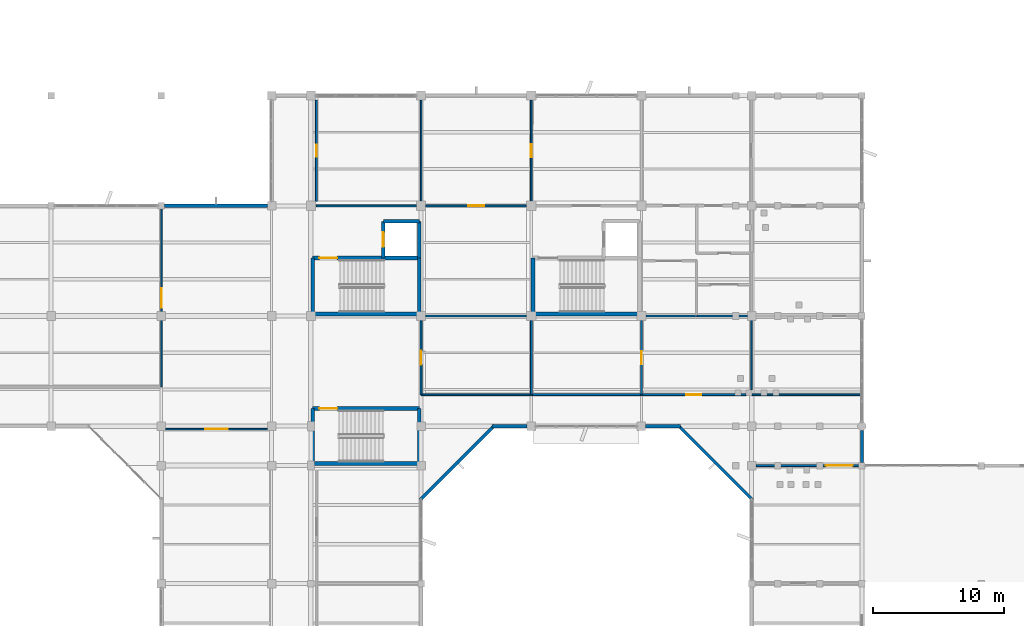
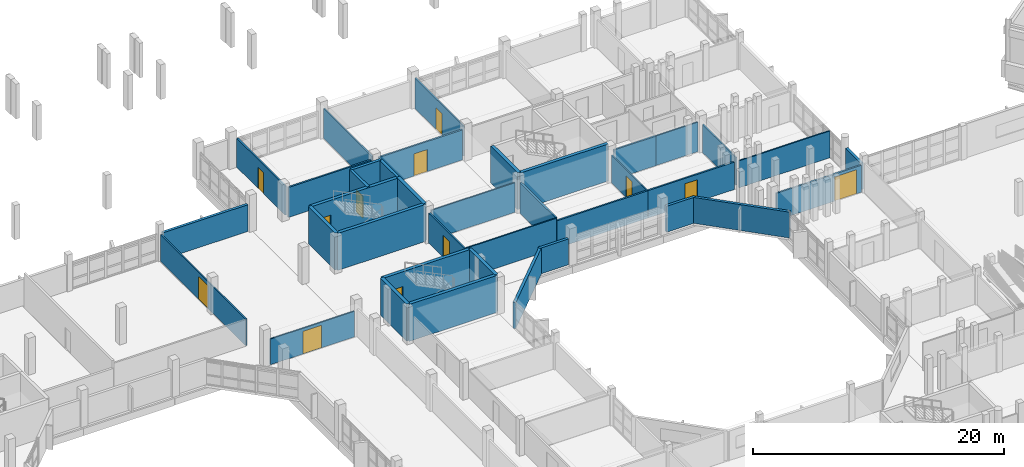
# One storey, part 70 of 104: 38 walls, 12 doors, 12 openings.
"""IFC4 building model written with IfcOpenShell, lengths in metres."""

from ifc_helpers import new_model, si_unit, direction, frame, frame_2d, origin, place, context, subcontext, project, spatial, rectangle, extrude, material, layer, layer_set, type_object, element, fill, save


model = new_model("IFC4")

# Units and contexts
model_context = context("Model", 3, precision=1e-05, world=origin(), true_north=direction((0.0, 1.0)))
body_context = subcontext(model_context, "Body", "Model", "MODEL_VIEW")
ifc_project = project(units=[si_unit("LENGTHUNIT", "METRE"), si_unit("AREAUNIT", "SQUARE_METRE"), si_unit("VOLUMEUNIT", "CUBIC_METRE"), si_unit("PLANEANGLEUNIT", "RADIAN"), si_unit("MASSUNIT", "GRAM", prefix="KILO")], contexts=[model_context])

# Site, building, storey
site_placement = place(None, origin())
site = spatial("IfcSite", under=ifc_project, at=site_placement, CompositionType="ELEMENT")
building_placement = place(site_placement, origin())
building = spatial("IfcBuilding", under=site, at=building_placement, Name="Vanh Quang Courtyard School", CompositionType="ELEMENT")
storey_placement = place(building_placement, frame((0.0, 0.0, 4.199951171875)))
storey = spatial("IfcBuildingStorey", under=building, at=storey_placement, Name="L01", CompositionType="ELEMENT", Elevation=4.199951171875)

# Walls
ifc_material_1 = material(Name="Concrete C35/45", Category="concrete")
ifc_layer_1 = layer(ifc_material_1, 0.300048828125)
ifc_layer_set_1 = layer_set([ifc_layer_1], Name="Concrete C35/45")
wall_type_1 = type_object("IfcWallType", Name="W-CORE-300", PredefinedType="SHEAR", material=ifc_layer_set_1)
wall_1_placement = place(storey_placement, frame((77.5400390625, 79.93994140625, 0.0), z_axis=(0.0, 0.0, 1.0), x_axis=(1.0, 0.0, 0.0)))
element("IfcWall", 1, at=wall_1_placement, inside=storey, type_object=wall_type_1, Name="Wall W-CORE1 (L01)", PredefinedType="SHEAR", context=body_context, shape_type="SweptSolid", body=[
    extrude(rectangle(XDim=8.119873046875, YDim=0.300048828125, at=frame_2d((4.06005859375, 0.0))), origin(), (0.0, 0.0, 1.0), 3.60009765625),
])
wall_2_placement = place(storey_placement, frame((85.659912109375, 79.93994140625, 0.0), z_axis=(0.0, 0.0, 1.0), x_axis=(0.0, 1.0, 0.0)))
element("IfcWall", 2, at=wall_2_placement, inside=storey, type_object=wall_type_1, Name="Wall W-CORE1 (L01)", PredefinedType="SHEAR", context=body_context, shape_type="SweptSolid", body=[
    extrude(rectangle(XDim=4.280029296875, YDim=0.300048828125, at=frame_2d((2.14013671875, 0.0))), origin(), (0.0, 0.0, 1.0), 3.60009765625),
])

# Wall, opening, door
wall_3_placement = place(storey_placement, frame((85.659912109375, 84.219970703125, 0.0), z_axis=(0.0, 0.0, 1.0), x_axis=(-1.0, 0.0, 0.0)))
wall_3 = element("IfcWall", 3, at=wall_3_placement, inside=storey, type_object=wall_type_1, Name="Wall W-CORE1 (L01)", PredefinedType="SHEAR", context=body_context, shape_type="SweptSolid", body=[
    extrude(rectangle(XDim=8.119873046875, YDim=0.300048828125, at=frame_2d((4.06005859375, 0.0))), origin(), (0.0, 0.0, 1.0), 3.60009765625),
])
opening_1_placement = place(wall_3_placement, frame((6.27001953125, 0.0, 0.0)))
opening_1 = element("IfcOpeningElement", 4, at=opening_1_placement, cuts=wall_3, Name="Opening L01-DS1", PredefinedType="OPENING", context=body_context, shape_type="SweptSolid", body=[
    extrude(rectangle(XDim=1.35009765625, YDim=2.14990234375, at=frame_2d((0.675048828125, 1.074951171875))), frame((0.0, 0.16015625, 0.0), z_axis=(0.0, -1.0, 0.0), x_axis=(1.0, 0.0, 0.0)), (0.0, 0.0, 1.0), 0.320068359375),
])
ifc_material_2 = material(Name="Painted galvanised steel fire door", Category="steel")
door_type_1 = type_object("IfcDoorType", Name="IDR-ST-1350x2150", OperationType="NOTDEFINED", PredefinedType="DOOR", material=ifc_material_2)
door_1_placement = place(opening_1_placement, frame((1.35009765625, 0.0, 0.0), z_axis=(0.0, 0.0, 1.0), x_axis=(-1.0, 0.0, 0.0)))
door_1 = element("IfcDoor", 5, at=door_1_placement, inside=storey, type_object=door_type_1, Name="Door L01-DS1 (L01)", OperationType="SINGLE_SWING_LEFT", OverallHeight=2.14990234375, OverallWidth=1.35009765625, PredefinedType="DOOR", context=body_context, shape_type="SweptSolid", body=[
    extrude(rectangle(XDim=1.35009765625, YDim=2.14990234375, at=frame_2d((0.675048828125, 1.074951171875))), frame((0.0, 0.02490234375, 0.0), z_axis=(0.0, -1.0, 0.0), x_axis=(1.0, 0.0, 0.0)), (0.0, 0.0, 1.0), 0.050048828125),
])
fill(opening_1, door_1)

# Walls
wall_4_placement = place(storey_placement, frame((77.5400390625, 84.219970703125, 0.0), z_axis=(0.0, 0.0, 1.0), x_axis=(0.0, -1.0, 0.0)))
element("IfcWall", 6, at=wall_4_placement, inside=storey, type_object=wall_type_1, Name="Wall W-CORE1 (L01)", PredefinedType="SHEAR", context=body_context, shape_type="SweptSolid", body=[
    extrude(rectangle(XDim=4.280029296875, YDim=0.300048828125, at=frame_2d((2.14013671875, 0.0))), origin(), (0.0, 0.0, 1.0), 3.60009765625),
])
wall_5_placement = place(storey_placement, frame((94.340087890625, 79.93994140625, 0.0), z_axis=(0.0, 0.0, 1.0), x_axis=(1.0, 0.0, 0.0)))
element("IfcWall", 7, at=wall_5_placement, inside=storey, type_object=wall_type_1, Name="Wall W-CORE1 (L01)", PredefinedType="SHEAR", context=body_context, shape_type="SweptSolid", body=[
    extrude(rectangle(XDim=8.119873046875, YDim=0.300048828125, at=frame_2d((4.06005859375, 0.0))), origin(), (0.0, 0.0, 1.0), 3.60009765625),
])
wall_6_placement = place(storey_placement, frame((94.340087890625, 84.219970703125, 0.0), z_axis=(0.0, 0.0, 1.0), x_axis=(0.0, -1.0, 0.0)))
element("IfcWall", 8, at=wall_6_placement, inside=storey, type_object=wall_type_1, Name="Wall W-CORE1 (L01)", PredefinedType="SHEAR", context=body_context, shape_type="SweptSolid", body=[
    extrude(rectangle(XDim=4.280029296875, YDim=0.300048828125, at=frame_2d((2.14013671875, 0.0))), origin(), (0.0, 0.0, 1.0), 3.60009765625),
])
wall_7_placement = place(storey_placement, frame((77.5400390625, 68.5400390625, 0.0), z_axis=(0.0, 0.0, 1.0), x_axis=(1.0, 0.0, 0.0)))
element("IfcWall", 9, at=wall_7_placement, inside=storey, type_object=wall_type_1, Name="Wall W-CORE1 (L01)", PredefinedType="SHEAR", context=body_context, shape_type="SweptSolid", body=[
    extrude(rectangle(XDim=8.119873046875, YDim=0.300048828125, at=frame_2d((4.06005859375, 0.0))), origin(), (0.0, 0.0, 1.0), 3.60009765625),
])
wall_8_placement = place(storey_placement, frame((85.659912109375, 68.5400390625, 0.0), z_axis=(0.0, 0.0, 1.0), x_axis=(0.0, 1.0, 0.0)))
element("IfcWall", 10, at=wall_8_placement, inside=storey, type_object=wall_type_1, Name="Wall W-CORE1 (L01)", PredefinedType="SHEAR", context=body_context, shape_type="SweptSolid", body=[
    extrude(rectangle(XDim=4.199951171875, YDim=0.300048828125, at=frame_2d((2.10009765625, 0.0))), origin(), (0.0, 0.0, 1.0), 3.60009765625),
])

# Wall, opening, door
wall_9_placement = place(storey_placement, frame((85.659912109375, 72.739990234375, 0.0), z_axis=(0.0, 0.0, 1.0), x_axis=(-1.0, 0.0, 0.0)))
wall_9 = element("IfcWall", 11, at=wall_9_placement, inside=storey, type_object=wall_type_1, Name="Wall W-CORE1 (L01)", PredefinedType="SHEAR", context=body_context, shape_type="SweptSolid", body=[
    extrude(rectangle(XDim=8.119873046875, YDim=0.300048828125, at=frame_2d((4.06005859375, 0.0))), origin(), (0.0, 0.0, 1.0), 3.60009765625),
])
opening_2_placement = place(wall_9_placement, frame((6.27001953125, 0.0, 0.0)))
opening_2 = element("IfcOpeningElement", 12, at=opening_2_placement, cuts=wall_9, Name="Opening L01-DS5", PredefinedType="OPENING", context=body_context, shape_type="SweptSolid", body=[
    extrude(rectangle(XDim=1.35009765625, YDim=2.14990234375, at=frame_2d((0.675048828125, 1.074951171875))), frame((0.0, 0.16015625, 0.0), z_axis=(0.0, -1.0, 0.0), x_axis=(1.0, 0.0, 0.0)), (0.0, 0.0, 1.0), 0.320068359375),
])
door_2_placement = place(opening_2_placement, frame((1.35009765625, 0.0, 0.0), z_axis=(0.0, 0.0, 1.0), x_axis=(-1.0, 0.0, 0.0)))
door_2 = element("IfcDoor", 13, at=door_2_placement, inside=storey, type_object=door_type_1, Name="Door L01-DS5 (L01)", OperationType="SINGLE_SWING_LEFT", OverallHeight=2.14990234375, OverallWidth=1.35009765625, PredefinedType="DOOR", context=body_context, shape_type="SweptSolid", body=[
    extrude(rectangle(XDim=1.35009765625, YDim=2.14990234375, at=frame_2d((0.675048828125, 1.074951171875))), frame((0.0, 0.02490234375, 0.0), z_axis=(0.0, -1.0, 0.0), x_axis=(1.0, 0.0, 0.0)), (0.0, 0.0, 1.0), 0.050048828125),
])
fill(opening_2, door_2)

# Walls
wall_10_placement = place(storey_placement, frame((77.5400390625, 72.739990234375, 0.0), z_axis=(0.0, 0.0, 1.0), x_axis=(0.0, -1.0, 0.0)))
element("IfcWall", 14, at=wall_10_placement, inside=storey, type_object=wall_type_1, Name="Wall W-CORE1 (L01)", PredefinedType="SHEAR", context=body_context, shape_type="SweptSolid", body=[
    extrude(rectangle(XDim=4.199951171875, YDim=0.300048828125, at=frame_2d((2.10009765625, 0.0))), origin(), (0.0, 0.0, 1.0), 3.60009765625),
])
ifc_material_3 = material(Name="Precast concrete C40/50", Category="concrete")
ifc_layer_2 = layer(ifc_material_3, 0.239990234375)
ifc_layer_set_2 = layer_set([ifc_layer_2], Name="Precast concrete C40/50")
wall_type_2 = type_object("IfcWallType", Name="W-EXT-240", PredefinedType="SOLIDWALL", material=ifc_layer_set_2)
wall_11_placement = place(storey_placement, frame((66.248046875, 88.199951171875, 0.0), z_axis=(0.0, 0.0, 1.0), x_axis=(1.0, 0.0, 0.0)))
element("IfcWall", 15, at=wall_11_placement, inside=storey, type_object=wall_type_2, Name="Wall WE-03 (L01)", PredefinedType="SOLIDWALL", context=body_context, shape_type="SweptSolid", body=[
    extrude(rectangle(XDim=7.828857421875, YDim=0.239990234375, at=frame_2d((3.91455078125, 0.0))), origin(), (0.0, 0.0, 1.0), 2.60009765625),
])
wall_12_placement = place(storey_placement, frame((119.39990234375, 71.076904296875, 0.0), z_axis=(0.0, 0.0, 1.0), x_axis=(0.0, -1.0, 0.0)))
element("IfcWall", 16, at=wall_12_placement, inside=storey, type_object=wall_type_2, Name="Wall WE-03 (L01)", PredefinedType="SOLIDWALL", context=body_context, shape_type="SweptSolid", body=[
    extrude(rectangle(XDim=2.428955078125, YDim=0.239990234375, at=frame_2d((1.21435546875, 0.0))), origin(), (0.0, 0.0, 1.0), 2.580078125),
])
wall_13_placement = place(storey_placement, frame((111.0849609375, 65.77099609375, 0.0), z_axis=(0.0, 0.0, 1.0), x_axis=(-0.707106781187, 0.707106781187, 0.0)))
element("IfcWall", 17, at=wall_13_placement, inside=storey, type_object=wall_type_2, Name="Wall WE-03 (L01)", PredefinedType="SOLIDWALL", context=body_context, shape_type="SweptSolid", body=[
    extrude(rectangle(XDim=8.08056640625, YDim=0.239990234375, at=frame_2d((4.040283203125, 0.0))), origin(), (0.0, 0.0, 1.0), 2.52001953125),
])
for number, where, z_axis, x_axis, name in (
    (18, (105.575927734375, 71.39990234375, 0.0), (0.0, 0.0, 1.0), (-1.0, 0.0, 0.0), "Wall WE-03 (L01)"),
    (19, (93.876953125, 71.39990234375, 0.0), (0.0, 0.0, 1.0), (-1.0, 0.0, 0.0), "Wall WE-03 (L01)"),
):
    element("IfcWall", number, at=place(storey_placement, frame(where, z_axis=z_axis, x_axis=x_axis)), inside=storey, type_object=wall_type_2, Name=name, PredefinedType="SOLIDWALL", context=body_context, shape_type="SweptSolid", body=[
        extrude(rectangle(XDim=2.65283203125, YDim=0.239990234375, at=frame_2d((1.326416015625, 0.0))), origin(), (0.0, 0.0, 1.0), 2.52001953125),
    ])
wall_14_placement = place(storey_placement, frame((91.428955078125, 71.48486328125, 0.0), z_axis=(0.0, 0.0, 1.0), x_axis=(-0.707106781187, -0.707106781187, 0.0)))
element("IfcWall", 20, at=wall_14_placement, inside=storey, type_object=wall_type_2, Name="Wall WE-03 (L01)", PredefinedType="SOLIDWALL", context=body_context, shape_type="SweptSolid", body=[
    extrude(rectangle(XDim=8.08056640625, YDim=0.239990234375, at=frame_2d((4.040283203125, 0.0))), origin(), (0.0, 0.0, 1.0), 2.52001953125),
])
ifc_material_4 = material(Name="Acoustic gypsum stud partition", Category="gypsum")
ifc_layer_3 = layer(ifc_material_4, 0.1201171875)
ifc_layer_set_3 = layer_set([ifc_layer_3], Name="Acoustic gypsum stud partition")
wall_type_3 = type_object("IfcWallType", Name="W-PART-120", PredefinedType="PARTITIONING", material=ifc_layer_set_3)
wall_15_placement = place(storey_placement, frame((110.677001953125, 79.800048828125, 0.0), z_axis=(0.0, 0.0, 1.0), x_axis=(-1.0, 0.0, 0.0)))
element("IfcWall", 21, at=wall_15_placement, inside=storey, type_object=wall_type_3, Name="Wall W-PRT2 (L01)", PredefinedType="PARTITIONING", context=body_context, shape_type="SweptSolid", body=[
    extrude(rectangle(XDim=3.85693359375, YDim=0.1201171875, at=frame_2d((1.928466796875, 0.0))), origin(), (0.0, 0.0, 1.0), 2.8701171875),
])

# Wall, opening, door
wall_16_placement = place(storey_placement, frame((66.0, 87.951904296875, 0.0), z_axis=(0.0, 0.0, 1.0), x_axis=(0.0, -1.0, 0.0)))
wall_16 = element("IfcWall", 22, at=wall_16_placement, inside=storey, type_object=wall_type_3, Name="Wall W-PRT2 (L01)", PredefinedType="PARTITIONING", context=body_context, shape_type="SweptSolid", body=[
    extrude(rectangle(XDim=13.552001953125, YDim=0.1201171875, at=frame_2d((6.77587890625, 0.0))), origin(), (0.0, 0.0, 1.0), 2.60009765625),
])
opening_3_placement = place(wall_16_placement, frame((6.02587890625, 0.0, 0.0)))
opening_3 = element("IfcOpeningElement", 23, at=opening_3_placement, cuts=wall_16, Name="Opening L01-D061", PredefinedType="OPENING", context=body_context, shape_type="SweptSolid", body=[
    extrude(rectangle(XDim=1.5, YDim=2.199951171875, at=frame_2d((0.75, 1.10009765625))), frame((0.0, 0.070068359375, 0.0), z_axis=(0.0, -1.0, 0.0), x_axis=(1.0, 0.0, 0.0)), (0.0, 0.0, 1.0), 0.14013671875),
])
ifc_material_5 = material(Name="Solid-core hardwood acoustic door", Category="wood")
door_type_2 = type_object("IfcDoorType", Name="IDR-LIB-1500x2200", OperationType="NOTDEFINED", PredefinedType="DOOR", material=ifc_material_5)
door_3_placement = place(opening_3_placement, origin())
door_3 = element("IfcDoor", 24, at=door_3_placement, inside=storey, type_object=door_type_2, Name="Door L01-D061 (L01)", OperationType="DOUBLE_DOOR_SINGLE_SWING", OverallHeight=2.199951171875, OverallWidth=1.5, PredefinedType="DOOR", context=body_context, shape_type="SweptSolid", body=[
    extrude(rectangle(XDim=1.5, YDim=2.199951171875, at=frame_2d((0.75, 1.10009765625))), frame((0.0, 0.02490234375, 0.0), z_axis=(0.0, -1.0, 0.0), x_axis=(1.0, 0.0, 0.0)), (0.0, 0.0, 1.0), 0.050048828125),
])
fill(opening_3, door_3)

wall_17_placement = place(storey_placement, frame((66.322998046875, 71.179931640625, 0.0), z_axis=(0.0, 0.0, 1.0), x_axis=(1.0, 0.0, 0.0)))
wall_17 = element("IfcWall", 25, at=wall_17_placement, inside=storey, type_object=wall_type_3, Name="Wall W-PRT2 (L01)", PredefinedType="PARTITIONING", context=body_context, shape_type="SweptSolid", body=[
    extrude(rectangle(XDim=7.75390625, YDim=0.1201171875, at=frame_2d((3.876953125, 0.0))), origin(), (0.0, 0.0, 1.0), 2.5),
])
opening_4_placement = place(wall_17_placement, frame((3.027099609375, 0.0, 0.0)))
opening_4 = element("IfcOpeningElement", 26, at=opening_4_placement, cuts=wall_17, Name="Opening L01-D062", PredefinedType="OPENING", context=body_context, shape_type="SweptSolid", body=[
    extrude(rectangle(XDim=1.699951171875, YDim=2.199951171875, at=frame_2d((0.85009765625, 1.10009765625))), frame((0.0, 0.070068359375, 0.0), z_axis=(0.0, -1.0, 0.0), x_axis=(1.0, 0.0, 0.0)), (0.0, 0.0, 1.0), 0.14013671875),
])
door_type_3 = type_object("IfcDoorType", Name="IDR-LIB-1700x2200", OperationType="NOTDEFINED", PredefinedType="DOOR", material=ifc_material_5)
door_4_placement = place(opening_4_placement, origin())
door_4 = element("IfcDoor", 27, at=door_4_placement, inside=storey, type_object=door_type_3, Name="Door L01-D062 (L01)", OperationType="DOUBLE_DOOR_SINGLE_SWING", OverallHeight=2.199951171875, OverallWidth=1.699951171875, PredefinedType="DOOR", context=body_context, shape_type="SweptSolid", body=[
    extrude(rectangle(XDim=1.699951171875, YDim=2.199951171875, at=frame_2d((0.85009765625, 1.10009765625))), frame((0.0, 0.02490234375, 0.0), z_axis=(0.0, -1.0, 0.0), x_axis=(1.0, 0.0, 0.0)), (0.0, 0.0, 1.0), 0.050048828125),
])
fill(opening_4, door_4)

# Walls
wall_18_placement = place(storey_placement, frame((85.800048828125, 96.251953125, 0.0), z_axis=(0.0, 0.0, 1.0), x_axis=(0.0, -1.0, 0.0)))
element("IfcWall", 28, at=wall_18_placement, inside=storey, type_object=wall_type_3, Name="Wall W-PRT2 (L01)", PredefinedType="PARTITIONING", context=body_context, shape_type="SweptSolid", body=[
    extrude(rectangle(XDim=7.703857421875, YDim=0.1201171875, at=frame_2d((3.85205078125, 0.0))), origin(), (0.0, 0.0, 1.0), 2.920166015625),
])
wall_19_placement = place(storey_placement, frame((86.14794921875, 79.800048828125, 0.0), z_axis=(0.0, 0.0, 1.0), x_axis=(1.0, 0.0, 0.0)))
element("IfcWall", 29, at=wall_19_placement, inside=storey, type_object=wall_type_3, Name="Wall W-PRT2 (L01)", PredefinedType="PARTITIONING", context=body_context, shape_type="SweptSolid", body=[
    extrude(rectangle(XDim=7.7041015625, YDim=0.1201171875, at=frame_2d((3.85205078125, 0.0))), origin(), (0.0, 0.0, 1.0), 2.8701171875),
])
wall_20_placement = place(storey_placement, frame((94.199951171875, 73.800048828125, 0.0), z_axis=(0.0, 0.0, 1.0), x_axis=(-1.0, 0.0, 0.0)))
element("IfcWall", 30, at=wall_20_placement, inside=storey, type_object=wall_type_3, Name="Wall W-PRT2 (L01)", PredefinedType="PARTITIONING", context=body_context, shape_type="SweptSolid", body=[
    extrude(rectangle(XDim=8.39990234375, YDim=0.1201171875, at=frame_2d((4.199951171875, 0.0))), origin(), (0.0, 0.0, 1.0), 2.920166015625),
])

# Wall, opening, door
wall_21_placement = place(storey_placement, frame((94.199951171875, 96.251953125, 0.0), z_axis=(0.0, 0.0, 1.0), x_axis=(0.0, -1.0, 0.0)))
wall_21 = element("IfcWall", 31, at=wall_21_placement, inside=storey, type_object=wall_type_3, Name="Wall W-PRT2 (L01)", PredefinedType="PARTITIONING", context=body_context, shape_type="SweptSolid", body=[
    extrude(rectangle(XDim=7.703857421875, YDim=0.1201171875, at=frame_2d((3.85205078125, 0.0))), origin(), (0.0, 0.0, 1.0), 2.9599609375),
])
opening_5_placement = place(wall_21_placement, frame((3.362060546875, 0.0, 0.0)))
opening_5 = element("IfcOpeningElement", 32, at=opening_5_placement, cuts=wall_21, Name="Opening L01-D075", PredefinedType="OPENING", context=body_context, shape_type="SweptSolid", body=[
    extrude(rectangle(XDim=0.97998046875, YDim=2.1201171875, at=frame_2d((0.489990234375, 1.06005859375))), frame((0.0, 0.070068359375, 0.0), z_axis=(0.0, -1.0, 0.0), x_axis=(1.0, 0.0, 0.0)), (0.0, 0.0, 1.0), 0.14013671875),
])
door_type_4 = type_object("IfcDoorType", Name="IDR-CLS-1050x2100", OperationType="NOTDEFINED", PredefinedType="DOOR", material=ifc_material_5)
door_5_placement = place(opening_5_placement, origin())
door_5 = element("IfcDoor", 33, at=door_5_placement, inside=storey, type_object=door_type_4, Name="Door L01-D075 (L01)", OperationType="SINGLE_SWING_RIGHT", OverallHeight=2.1201171875, OverallWidth=0.97998046875, PredefinedType="DOOR", context=body_context, shape_type="SweptSolid", body=[
    extrude(rectangle(XDim=0.97998046875, YDim=2.1201171875, at=frame_2d((0.489990234375, 1.06005859375))), frame((0.0, 0.02490234375, 0.0), z_axis=(0.0, -1.0, 0.0), x_axis=(1.0, 0.0, 0.0)), (0.0, 0.0, 1.0), 0.050048828125),
])
fill(opening_5, door_5)

wall_22_placement = place(storey_placement, frame((102.60009765625, 79.451904296875, 0.0), z_axis=(0.0, 0.0, 1.0), x_axis=(0.0, -1.0, 0.0)))
wall_22 = element("IfcWall", 34, at=wall_22_placement, inside=storey, type_object=wall_type_3, Name="Wall W-PRT2 (L01)", PredefinedType="PARTITIONING", context=body_context, shape_type="SweptSolid", body=[
    extrude(rectangle(XDim=5.65185546875, YDim=0.1201171875, at=frame_2d((2.825927734375, 0.0))), origin(), (0.0, 0.0, 1.0), 2.670166015625),
])
opening_6_placement = place(wall_22_placement, frame((2.325927734375, 0.0, 0.0)))
opening_6 = element("IfcOpeningElement", 35, at=opening_6_placement, cuts=wall_22, Name="Opening L01-D078", PredefinedType="OPENING", context=body_context, shape_type="SweptSolid", body=[
    extrude(rectangle(XDim=1.0, YDim=2.10009765625, at=frame_2d((0.5, 1.050048828125))), frame((0.0, 0.070068359375, 0.0), z_axis=(0.0, -1.0, 0.0), x_axis=(1.0, 0.0, 0.0)), (0.0, 0.0, 1.0), 0.14013671875),
])
door_type_5 = type_object("IfcDoorType", Name="IDR-CLS-1000x2100", OperationType="NOTDEFINED", PredefinedType="DOOR", material=ifc_material_5)
door_6_placement = place(opening_6_placement, origin())
door_6 = element("IfcDoor", 36, at=door_6_placement, inside=storey, type_object=door_type_5, Name="Door L01-D078 (L01)", OperationType="SINGLE_SWING_LEFT", OverallHeight=2.10009765625, OverallWidth=1.0, PredefinedType="DOOR", context=body_context, shape_type="SweptSolid", body=[
    extrude(rectangle(XDim=1.0, YDim=2.10009765625, at=frame_2d((0.5, 1.050048828125))), frame((0.0, 0.02490234375, 0.0), z_axis=(0.0, -1.0, 0.0), x_axis=(1.0, 0.0, 0.0)), (0.0, 0.0, 1.0), 0.050048828125),
])
fill(opening_6, door_6)

# Walls
wall_23_placement = place(storey_placement, frame((111.0, 79.47705078125, 0.0), z_axis=(0.0, 0.0, 1.0), x_axis=(0.0, -1.0, 0.0)))
element("IfcWall", 37, at=wall_23_placement, inside=storey, type_object=wall_type_3, Name="Wall W-PRT2 (L01)", PredefinedType="PARTITIONING", context=body_context, shape_type="SweptSolid", body=[
    extrude(rectangle(XDim=5.303955078125, YDim=0.1201171875, at=frame_2d((2.65185546875, 0.0))), origin(), (0.0, 0.0, 1.0), 2.719970703125),
])
wall_24_placement = place(storey_placement, frame((119.39990234375, 73.800048828125, 0.0), z_axis=(0.0, 0.0, 1.0), x_axis=(-1.0, 0.0, 0.0)))
element("IfcWall", 38, at=wall_24_placement, inside=storey, type_object=wall_type_3, Name="Wall W-PRT2 (L01)", PredefinedType="PARTITIONING", context=body_context, shape_type="SweptSolid", body=[
    extrude(rectangle(XDim=8.376953125, YDim=0.1201171875, at=frame_2d((4.1884765625, 0.0))), origin(), (0.0, 0.0, 1.0), 2.6201171875),
])
ifc_material_6 = material(Name="Autoclaved aerated masonry blockwork", Category="masonry")
ifc_layer_4 = layer(ifc_material_6, 0.14990234375)
ifc_layer_set_4 = layer_set([ifc_layer_4], Name="Autoclaved aerated masonry blockwork")
wall_type_4 = type_object("IfcWallType", Name="W-PART-150", PredefinedType="PARTITIONING", material=ifc_layer_set_4)
wall_25_placement = place(storey_placement, frame((106.800048828125, 79.800048828125, 0.0), z_axis=(0.0, 0.0, 1.0), x_axis=(-1.0, 0.0, 0.0)))
element("IfcWall", 39, at=wall_25_placement, inside=storey, type_object=wall_type_4, Name="Wall W-PRT1 (L01)", PredefinedType="PARTITIONING", context=body_context, shape_type="SweptSolid", body=[
    extrude(rectangle(XDim=3.85205078125, YDim=0.14990234375, at=frame_2d((1.926025390625, 0.0))), origin(), (0.0, 0.0, 1.0), 2.8701171875),
])

# Wall, opening, door
wall_26_placement = place(storey_placement, frame((77.820068359375, 88.548095703125, 0.0), z_axis=(0.0, 0.0, 1.0), x_axis=(0.0, 1.0, 0.0)))
wall_26 = element("IfcWall", 40, at=wall_26_placement, inside=storey, type_object=wall_type_4, Name="Wall W-PRT1 (L01)", PredefinedType="PARTITIONING", context=body_context, shape_type="SweptSolid", body=[
    extrude(rectangle(XDim=7.703857421875, YDim=0.14990234375, at=frame_2d((3.85205078125, 0.0))), origin(), (0.0, 0.0, 1.0), 2.820068359375),
])
opening_7_placement = place(wall_26_placement, frame((3.402099609375, 0.0, 0.0)))
opening_7 = element("IfcOpeningElement", 41, at=opening_7_placement, cuts=wall_26, Name="Opening L01-D070", PredefinedType="OPENING", context=body_context, shape_type="SweptSolid", body=[
    extrude(rectangle(XDim=0.89990234375, YDim=2.050048828125, at=frame_2d((0.449951171875, 1.02490234375))), frame((0.0, 0.0849609375, 0.0), z_axis=(0.0, -1.0, 0.0), x_axis=(1.0, 0.0, 0.0)), (0.0, 0.0, 1.0), 0.169921875),
])
door_type_6 = type_object("IfcDoorType", Name="IDR-RS-0900x2050", OperationType="NOTDEFINED", PredefinedType="DOOR", material=ifc_material_2)
door_7_placement = place(opening_7_placement, origin())
door_7 = element("IfcDoor", 42, at=door_7_placement, inside=storey, type_object=door_type_6, Name="Door L01-D070 (L01)", OperationType="SINGLE_SWING_LEFT", OverallHeight=2.050048828125, OverallWidth=0.89990234375, PredefinedType="DOOR", context=body_context, shape_type="SweptSolid", body=[
    extrude(rectangle(XDim=0.89990234375, YDim=2.050048828125, at=frame_2d((0.449951171875, 1.02490234375))), frame((0.0, 0.02490234375, 0.0), z_axis=(0.0, -1.0, 0.0), x_axis=(1.0, 0.0, 0.0)), (0.0, 0.0, 1.0), 0.050048828125),
])
fill(opening_7, door_7)

# Wall
wall_27_placement = place(storey_placement, frame((85.451904296875, 88.199951171875, 0.0), z_axis=(0.0, 0.0, 1.0), x_axis=(-1.0, 0.0, 0.0)))
element("IfcWall", 43, at=wall_27_placement, inside=storey, type_object=wall_type_4, Name="Wall W-PRT1 (L01)", PredefinedType="PARTITIONING", context=body_context, shape_type="SweptSolid", body=[
    extrude(rectangle(XDim=7.6318359375, YDim=0.14990234375, at=frame_2d((3.81591796875, 0.0))), origin(), (0.0, 0.0, 1.0), 2.929931640625),
])

# Wall, opening, door
wall_28_placement = place(storey_placement, frame((85.800048828125, 73.800048828125, 0.0), z_axis=(0.0, 0.0, 1.0), x_axis=(0.0, 1.0, 0.0)))
wall_28 = element("IfcWall", 44, at=wall_28_placement, inside=storey, type_object=wall_type_4, Name="Wall W-PRT1 (L01)", PredefinedType="PARTITIONING", context=body_context, shape_type="SweptSolid", body=[
    extrude(rectangle(XDim=5.65185546875, YDim=0.14990234375, at=frame_2d((2.825927734375, 0.0))), origin(), (0.0, 0.0, 1.0), 2.920166015625),
])
opening_8_placement = place(wall_28_placement, frame((2.301025390625, 0.0, 0.0)))
opening_8 = element("IfcOpeningElement", 45, at=opening_8_placement, cuts=wall_28, Name="Opening L01-D073", PredefinedType="OPENING", context=body_context, shape_type="SweptSolid", body=[
    extrude(rectangle(XDim=1.050048828125, YDim=2.14990234375, at=frame_2d((0.52490234375, 1.074951171875))), frame((0.0, 0.0849609375, 0.0), z_axis=(0.0, -1.0, 0.0), x_axis=(1.0, 0.0, 0.0)), (0.0, 0.0, 1.0), 0.169921875),
])
door_type_7 = type_object("IfcDoorType", Name="IDR-FD-1050x2150", OperationType="NOTDEFINED", PredefinedType="DOOR", material=ifc_material_2)
door_8_placement = place(opening_8_placement, origin())
door_8 = element("IfcDoor", 46, at=door_8_placement, inside=storey, type_object=door_type_7, Name="Door L01-D073 (L01)", OperationType="SINGLE_SWING_RIGHT", OverallHeight=2.14990234375, OverallWidth=1.050048828125, PredefinedType="DOOR", context=body_context, shape_type="SweptSolid", body=[
    extrude(rectangle(XDim=1.050048828125, YDim=2.14990234375, at=frame_2d((0.52490234375, 1.074951171875))), frame((0.0, 0.02490234375, 0.0), z_axis=(0.0, -1.0, 0.0), x_axis=(1.0, 0.0, 0.0)), (0.0, 0.0, 1.0), 0.050048828125),
])
fill(opening_8, door_8)

# Wall
wall_29_placement = place(storey_placement, frame((94.199951171875, 79.451904296875, 0.0), z_axis=(0.0, 0.0, 1.0), x_axis=(0.0, -1.0, 0.0)))
element("IfcWall", 47, at=wall_29_placement, inside=storey, type_object=wall_type_4, Name="Wall W-PRT1 (L01)", PredefinedType="PARTITIONING", context=body_context, shape_type="SweptSolid", body=[
    extrude(rectangle(XDim=5.65185546875, YDim=0.14990234375, at=frame_2d((2.825927734375, 0.0))), origin(), (0.0, 0.0, 1.0), 2.9599609375),
])

# Wall, opening, door
wall_30_placement = place(storey_placement, frame((86.14794921875, 88.199951171875, 0.0), z_axis=(0.0, 0.0, 1.0), x_axis=(1.0, 0.0, 0.0)))
wall_30 = element("IfcWall", 48, at=wall_30_placement, inside=storey, type_object=wall_type_4, Name="Wall W-PRT1 (L01)", PredefinedType="PARTITIONING", context=body_context, shape_type="SweptSolid", body=[
    extrude(rectangle(XDim=7.7041015625, YDim=0.14990234375, at=frame_2d((3.85205078125, 0.0))), origin(), (0.0, 0.0, 1.0), 2.929931640625),
])
opening_9_placement = place(wall_30_placement, frame((3.251953125, 0.0, 0.0)))
opening_9 = element("IfcOpeningElement", 49, at=opening_9_placement, cuts=wall_30, Name="Opening L01-D074", PredefinedType="OPENING", context=body_context, shape_type="SweptSolid", body=[
    extrude(rectangle(XDim=1.199951171875, YDim=2.14990234375, at=frame_2d((0.60009765625, 1.074951171875))), frame((0.0, 0.0849609375, 0.0), z_axis=(0.0, -1.0, 0.0), x_axis=(1.0, 0.0, 0.0)), (0.0, 0.0, 1.0), 0.169921875),
])
door_type_8 = type_object("IfcDoorType", Name="IDR-FD-1200x2150", OperationType="NOTDEFINED", PredefinedType="DOOR", material=ifc_material_2)
door_9_placement = place(opening_9_placement, origin())
door_9 = element("IfcDoor", 50, at=door_9_placement, inside=storey, type_object=door_type_8, Name="Door L01-D074 (L01)", OperationType="SINGLE_SWING_LEFT", OverallHeight=2.14990234375, OverallWidth=1.199951171875, PredefinedType="DOOR", context=body_context, shape_type="SweptSolid", body=[
    extrude(rectangle(XDim=1.199951171875, YDim=2.14990234375, at=frame_2d((0.60009765625, 1.074951171875))), frame((0.0, 0.02490234375, 0.0), z_axis=(0.0, -1.0, 0.0), x_axis=(1.0, 0.0, 0.0)), (0.0, 0.0, 1.0), 0.050048828125),
])
fill(opening_9, door_9)

# Wall
wall_31_placement = place(storey_placement, frame((102.60009765625, 73.800048828125, 0.0), z_axis=(0.0, 0.0, 1.0), x_axis=(-1.0, 0.0, 0.0)))
element("IfcWall", 51, at=wall_31_placement, inside=storey, type_object=wall_type_4, Name="Wall W-PRT1 (L01)", PredefinedType="PARTITIONING", context=body_context, shape_type="SweptSolid", body=[
    extrude(rectangle(XDim=8.380126953125, YDim=0.14990234375, at=frame_2d((4.18994140625, 0.0))), origin(), (0.0, 0.0, 1.0), 2.670166015625),
])

# Wall, opening, door
wall_32_placement = place(storey_placement, frame((110.576904296875, 73.800048828125, 0.0), z_axis=(0.0, 0.0, 1.0), x_axis=(-1.0, 0.0, 0.0)))
wall_32 = element("IfcWall", 52, at=wall_32_placement, inside=storey, type_object=wall_type_4, Name="Wall W-PRT1 (L01)", PredefinedType="PARTITIONING", context=body_context, shape_type="SweptSolid", body=[
    extrude(rectangle(XDim=7.956787109375, YDim=0.14990234375, at=frame_2d((3.978515625, 0.0))), origin(), (0.0, 0.0, 1.0), 2.670166015625),
])
opening_10_placement = place(wall_32_placement, frame((3.403564453125, 0.0, 0.0)))
opening_10 = element("IfcOpeningElement", 53, at=opening_10_placement, cuts=wall_32, Name="Opening L01-D081", PredefinedType="OPENING", context=body_context, shape_type="SweptSolid", body=[
    extrude(rectangle(XDim=1.14990234375, YDim=2.14990234375, at=frame_2d((0.574951171875, 1.074951171875))), frame((0.0, 0.0849609375, 0.0), z_axis=(0.0, -1.0, 0.0), x_axis=(1.0, 0.0, 0.0)), (0.0, 0.0, 1.0), 0.169921875),
])
door_type_9 = type_object("IfcDoorType", Name="IDR-LAB-1150x2150", OperationType="NOTDEFINED", PredefinedType="DOOR", material=ifc_material_2)
door_10_placement = place(opening_10_placement, origin())
door_10 = element("IfcDoor", 54, at=door_10_placement, inside=storey, type_object=door_type_9, Name="Door L01-D081 (L01)", OperationType="SINGLE_SWING_RIGHT", OverallHeight=2.14990234375, OverallWidth=1.14990234375, PredefinedType="DOOR", context=body_context, shape_type="SweptSolid", body=[
    extrude(rectangle(XDim=1.14990234375, YDim=2.14990234375, at=frame_2d((0.574951171875, 1.074951171875))), frame((0.0, 0.02490234375, 0.0), z_axis=(0.0, -1.0, 0.0), x_axis=(1.0, 0.0, 0.0)), (0.0, 0.0, 1.0), 0.050048828125),
])
fill(opening_10, door_10)

wall_33_placement = place(storey_placement, frame((111.322998046875, 68.39990234375, 0.0), z_axis=(0.0, 0.0, 1.0), x_axis=(1.0, 0.0, 0.0)))
wall_33 = element("IfcWall", 55, at=wall_33_placement, inside=storey, type_object=wall_type_4, Name="Wall W-PRT1 (L01)", PredefinedType="PARTITIONING", context=body_context, shape_type="SweptSolid", body=[
    extrude(rectangle(XDim=7.8291015625, YDim=0.14990234375, at=frame_2d((3.91455078125, 0.0))), origin(), (0.0, 0.0, 1.0), 2.630126953125),
])
opening_11_placement = place(wall_33_placement, frame((5.339599609375, 0.0, 0.0)))
opening_11 = element("IfcOpeningElement", 56, at=opening_11_placement, cuts=wall_33, Name="Opening L01-D089", PredefinedType="OPENING", context=body_context, shape_type="SweptSolid", body=[
    extrude(rectangle(XDim=2.050048828125, YDim=2.35009765625, at=frame_2d((1.02490234375, 1.175048828125))), frame((0.0, 0.0849609375, 0.0), z_axis=(0.0, -1.0, 0.0), x_axis=(1.0, 0.0, 0.0)), (0.0, 0.0, 1.0), 0.169921875),
])
door_type_10 = type_object("IfcDoorType", Name="IDR-HAL-2050x2350", OperationType="NOTDEFINED", PredefinedType="DOOR", material=ifc_material_2)
door_11_placement = place(opening_11_placement, origin())
door_11 = element("IfcDoor", 57, at=door_11_placement, inside=storey, type_object=door_type_10, Name="Door L01-D089 (L01)", OperationType="DOUBLE_DOOR_SINGLE_SWING", OverallHeight=2.35009765625, OverallWidth=2.050048828125, PredefinedType="DOOR", context=body_context, shape_type="SweptSolid", body=[
    extrude(rectangle(XDim=2.050048828125, YDim=2.35009765625, at=frame_2d((1.02490234375, 1.175048828125))), frame((0.0, 0.02490234375, 0.0), z_axis=(0.0, -1.0, 0.0), x_axis=(1.0, 0.0, 0.0)), (0.0, 0.0, 1.0), 0.050048828125),
])
fill(opening_11, door_11)

ifc_layer_5 = layer(ifc_material_1, 0.25)
ifc_layer_set_5 = layer_set([ifc_layer_5], Name="Concrete C35/45")
wall_type_5 = type_object("IfcWallType", Name="W-SHFT-250", PredefinedType="SHEAR", material=ifc_layer_set_5)
wall_34_placement = place(storey_placement, frame((82.919921875, 87.02001953125, 0.0), z_axis=(0.0, 0.0, 1.0), x_axis=(0.0, -1.0, 0.0)))
wall_34 = element("IfcWall", 58, at=wall_34_placement, inside=storey, type_object=wall_type_5, Name="Wall W-SHFT1 (L01)", PredefinedType="SHEAR", context=body_context, shape_type="SweptSolid", body=[
    extrude(rectangle(XDim=2.800048828125, YDim=0.25, at=frame_2d((1.39990234375, 0.0))), origin(), (0.0, 0.0, 1.0), 3.60009765625),
])
opening_12_placement = place(wall_34_placement, frame((0.85009765625, 0.0, 0.0)))
opening_12 = element("IfcOpeningElement", 59, at=opening_12_placement, cuts=wall_34, Name="Opening LD-01-L01", PredefinedType="OPENING", context=body_context, shape_type="SweptSolid", body=[
    extrude(rectangle(XDim=1.10009765625, YDim=2.14990234375, at=frame_2d((0.550048828125, 1.074951171875))), frame((0.0, 0.135009765625, 0.0), z_axis=(0.0, -1.0, 0.0), x_axis=(1.0, 0.0, 0.0)), (0.0, 0.0, 1.0), 0.27001953125),
])
door_type_11 = type_object("IfcDoorType", Name="IDR-LD-1100x2150", OperationType="NOTDEFINED", PredefinedType="DOOR", material=ifc_material_2)
door_12_placement = place(opening_12_placement, origin())
door_12 = element("IfcDoor", 60, at=door_12_placement, inside=storey, type_object=door_type_11, Name="Door LD-01-L01 (L01)", OperationType="DOUBLE_DOOR_SLIDING", OverallHeight=2.14990234375, OverallWidth=1.10009765625, PredefinedType="DOOR", context=body_context, shape_type="SweptSolid", body=[
    extrude(rectangle(XDim=1.10009765625, YDim=2.14990234375, at=frame_2d((0.550048828125, 1.074951171875))), frame((0.0, 0.02490234375, 0.0), z_axis=(0.0, -1.0, 0.0), x_axis=(1.0, 0.0, 0.0)), (0.0, 0.0, 1.0), 0.050048828125),
])
fill(opening_12, door_12)

# Walls
wall_35_placement = place(storey_placement, frame((85.659912109375, 87.02001953125, 0.0), z_axis=(0.0, 0.0, 1.0), x_axis=(-1.0, 0.0, 0.0)))
element("IfcWall", 61, at=wall_35_placement, inside=storey, type_object=wall_type_5, Name="Wall W-SHFT1 (L01)", PredefinedType="SHEAR", context=body_context, shape_type="SweptSolid", body=[
    extrude(rectangle(XDim=2.739990234375, YDim=0.25, at=frame_2d((1.3701171875, 0.0))), origin(), (0.0, 0.0, 1.0), 3.60009765625),
])
wall_36_placement = place(storey_placement, frame((85.659912109375, 84.219970703125, 0.0), z_axis=(0.0, 0.0, 1.0), x_axis=(0.0, 1.0, 0.0)))
element("IfcWall", 62, at=wall_36_placement, inside=storey, type_object=wall_type_5, Name="Wall W-SHFT1 (L01)", PredefinedType="SHEAR", context=body_context, shape_type="SweptSolid", body=[
    extrude(rectangle(XDim=2.800048828125, YDim=0.25, at=frame_2d((1.39990234375, 0.0))), origin(), (0.0, 0.0, 1.0), 3.60009765625),
])

save(model, "model.ifc")
